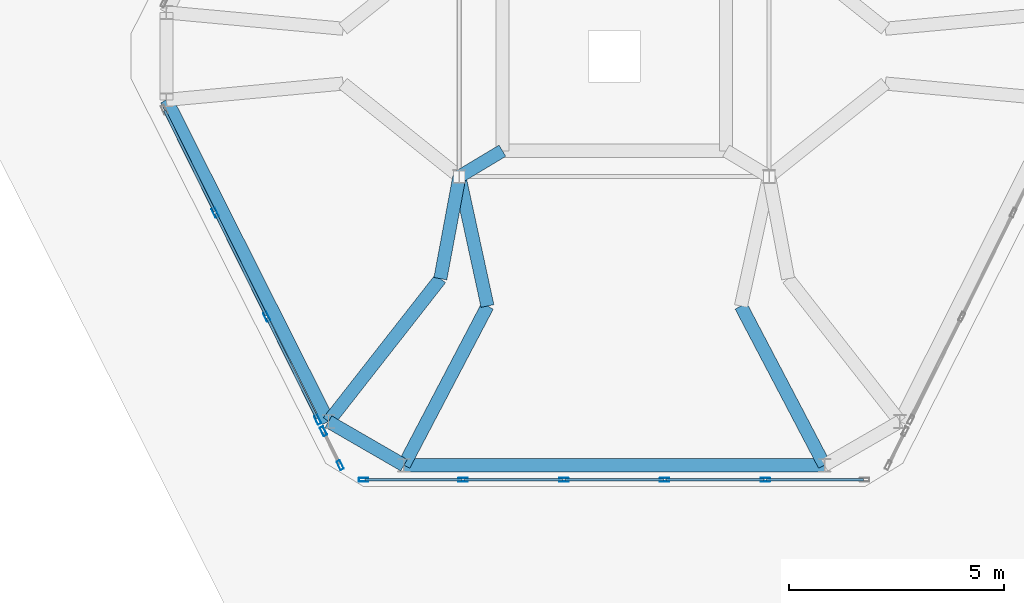
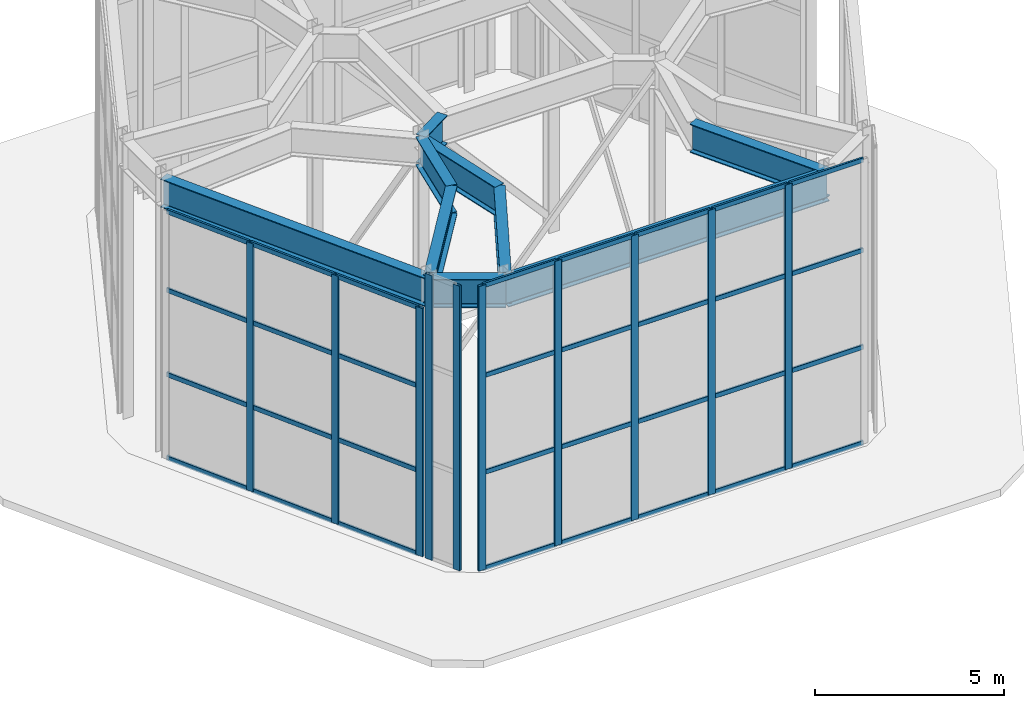
# One storey, part 2 of 9: 42 members, 9 beams, 3 elements without a shape of their own.
"""IFC4 building model written with IfcOpenShell, lengths in metres."""

from ifc_helpers import new_model, si_unit, direction, frame, origin, origin_2d, place, context, subcontext, project, spatial, hollow_rectangle, i_section, extrude, material, layer, layer_set, material_profile, profile_set, type_object, element, aggregate, save


model = new_model("IFC4")

# Units and contexts
model_context = context("Model", 3, precision=1e-05, world=origin(), true_north=direction((0.0, 1.0)))
body_context = subcontext(model_context, "Body", "Model", "MODEL_VIEW")
ifc_project = project(units=[si_unit("LENGTHUNIT", "METRE"), si_unit("AREAUNIT", "SQUARE_METRE"), si_unit("VOLUMEUNIT", "CUBIC_METRE"), si_unit("PLANEANGLEUNIT", "RADIAN"), si_unit("MASSUNIT", "GRAM", prefix="KILO")], contexts=[model_context])

# Site, building, storey
site_placement = place(None, origin())
site = spatial("IfcSite", under=ifc_project, at=site_placement, CompositionType="ELEMENT")
building_placement = place(site_placement, origin())
building = spatial("IfcBuilding", under=site, at=building_placement, Name="Cinnabar Lancet Tower", CompositionType="ELEMENT")
storey_placement = place(building_placement, frame((0.0, 0.0, 323.85009765625)))
storey = spatial("IfcBuildingStorey", under=building, at=storey_placement, Name="L82", CompositionType="ELEMENT", Elevation=323.85009765625)

# Curtain wall, members
ifc_material_1 = material(Name="Thermally broken bronze-anodized aluminium and low-E glass", Category="aluminium")
ifc_layer = layer(ifc_material_1, 0.179931640625)
ifc_layer_set = layer_set([ifc_layer], Name="Thermally broken bronze-anodized aluminium and low-E glass")
curtain_wall_type = type_object("IfcCurtainWallType", Name="ENV-CW-SYS-06", PredefinedType="NOTDEFINED", material=ifc_layer_set)
curtain_wall_1_placement = place(storey_placement, origin())
curtain_wall_1 = element("IfcCurtainWall", 1, at=curtain_wall_1_placement, inside=storey, type_object=curtain_wall_type, Name="L82 Faceted Lancet Crown Curtain Wall 2", PredefinedType="NOTDEFINED")
ifc_material_2 = material(Name="Anodized architectural aluminium 6063-T6", Category="aluminium")
ifc_material_profile_1 = material_profile(ifc_material_2, hollow_rectangle(XDim=0.0849609375, YDim=0.219970703125, WallThickness=0.0048828125, InnerFilletRadius=0.00244140625, OuterFilletRadius=0.007568359375, at=origin_2d()), Name="CW-MUL 220x85x5")
ifc_profile_set_1 = profile_set([ifc_material_profile_1], Name="Anodized architectural aluminium 6063-T6")
member_type_1 = type_object("IfcMemberType", Name="ENV-CW-MUL-220", PredefinedType="MULLION", material=ifc_profile_set_1)
member_1_placement = place(storey_placement, frame((26.575927734375, 15.949951171875, 0.0), z_axis=(0.0, 0.0, 1.0), x_axis=(0.0, 1.0, 0.0)))
member_1 = element("IfcMember", 2, at=member_1_placement, type_object=member_type_1, Name="CW-06 mullion 1", PredefinedType="MULLION", context=body_context, shape_type="SweptSolid", body=[
    extrude(hollow_rectangle(XDim=0.0849609375, YDim=0.219970703125, WallThickness=0.0048828125, InnerFilletRadius=0.00244140625, OuterFilletRadius=0.007568359375, at=origin_2d()), origin(), (0.0, 0.0, 1.0), 9.1748046875),
])
member_2_placement = place(storey_placement, frame((28.8876953125, 15.949951171875, 0.0), z_axis=(0.0, 0.0, 1.0), x_axis=(0.0, 1.0, 0.0)))
member_2 = element("IfcMember", 3, at=member_2_placement, type_object=member_type_1, Name="CW-06 mullion 2", PredefinedType="MULLION", context=body_context, shape_type="SweptSolid", body=[
    extrude(hollow_rectangle(XDim=0.0849609375, YDim=0.219970703125, WallThickness=0.0048828125, InnerFilletRadius=0.00244140625, OuterFilletRadius=0.007568359375, at=origin_2d()), origin(), (0.0, 0.0, 1.0), 9.1748046875),
])
member_3_placement = place(storey_placement, frame((31.229248046875, 15.949951171875, 0.0), z_axis=(0.0, 0.0, 1.0), x_axis=(0.0, 1.0, 0.0)))
member_3 = element("IfcMember", 4, at=member_3_placement, type_object=member_type_1, Name="CW-06 mullion 3", PredefinedType="MULLION", context=body_context, shape_type="SweptSolid", body=[
    extrude(hollow_rectangle(XDim=0.0849609375, YDim=0.219970703125, WallThickness=0.0048828125, InnerFilletRadius=0.00244140625, OuterFilletRadius=0.007568359375, at=origin_2d()), origin(), (0.0, 0.0, 1.0), 9.1748046875),
])
member_4_placement = place(storey_placement, frame((33.57080078125, 15.949951171875, 0.0), z_axis=(0.0, 0.0, 1.0), x_axis=(0.0, 1.0, 0.0)))
member_4 = element("IfcMember", 5, at=member_4_placement, type_object=member_type_1, Name="CW-06 mullion 4", PredefinedType="MULLION", context=body_context, shape_type="SweptSolid", body=[
    extrude(hollow_rectangle(XDim=0.0849609375, YDim=0.219970703125, WallThickness=0.0048828125, InnerFilletRadius=0.00244140625, OuterFilletRadius=0.007568359375, at=origin_2d()), origin(), (0.0, 0.0, 1.0), 9.1748046875),
])
member_5_placement = place(storey_placement, frame((35.912353515625, 15.949951171875, 0.0), z_axis=(0.0, 0.0, 1.0), x_axis=(0.0, 1.0, 0.0)))
member_5 = element("IfcMember", 6, at=member_5_placement, type_object=member_type_1, Name="CW-06 mullion 5", PredefinedType="MULLION", context=body_context, shape_type="SweptSolid", body=[
    extrude(hollow_rectangle(XDim=0.0849609375, YDim=0.219970703125, WallThickness=0.0048828125, InnerFilletRadius=0.00244140625, OuterFilletRadius=0.007568359375, at=origin_2d()), origin(), (0.0, 0.0, 1.0), 9.1748046875),
])

curtain_wall_2_placement = place(storey_placement, origin())
curtain_wall_2 = element("IfcCurtainWall", 7, at=curtain_wall_2_placement, inside=storey, type_object=curtain_wall_type, Name="L82 Faceted Lancet Crown Curtain Wall 19", PredefinedType="NOTDEFINED")
member_6_placement = place(storey_placement, frame((23.12060546875, 22.16259765625, 0.0), z_axis=(0.0, 0.0, 1.0), x_axis=(0.896196734695, 0.443656863715, 0.0)))
member_6 = element("IfcMember", 8, at=member_6_placement, type_object=member_type_1, Name="CW-06 mullion 2", PredefinedType="MULLION", context=body_context, shape_type="SweptSolid", body=[
    extrude(hollow_rectangle(XDim=0.0849609375, YDim=0.219970703125, WallThickness=0.0048828125, InnerFilletRadius=0.00244140625, OuterFilletRadius=0.007568359375, at=origin_2d()), origin(), (0.0, 0.0, 1.0), 7.996826171875),
])
member_7_placement = place(storey_placement, frame((24.3193359375, 19.741455078125, 0.0), z_axis=(0.0, 0.0, 1.0), x_axis=(0.896196734695, 0.443656863715, 0.0)))
member_7 = element("IfcMember", 9, at=member_7_placement, type_object=member_type_1, Name="CW-06 mullion 3", PredefinedType="MULLION", context=body_context, shape_type="SweptSolid", body=[
    extrude(hollow_rectangle(XDim=0.0849609375, YDim=0.219970703125, WallThickness=0.0048828125, InnerFilletRadius=0.00244140625, OuterFilletRadius=0.007568359375, at=origin_2d()), origin(), (0.0, 0.0, 1.0), 7.996826171875),
])
member_8_placement = place(storey_placement, frame((25.504638671875, 17.346923828125, 0.0), z_axis=(0.0, 0.0, 1.0), x_axis=(0.896196734695, 0.443656863715, 0.0)))
member_8 = element("IfcMember", 10, at=member_8_placement, type_object=member_type_1, Name="CW-06 mullion 4", PredefinedType="MULLION", context=body_context, shape_type="SweptSolid", body=[
    extrude(hollow_rectangle(XDim=0.0849609375, YDim=0.219970703125, WallThickness=0.0048828125, InnerFilletRadius=0.00244140625, OuterFilletRadius=0.007568359375, at=origin_2d()), origin(), (0.0, 0.0, 1.0), 7.996826171875),
])

curtain_wall_3_placement = place(storey_placement, origin())
curtain_wall_3 = element("IfcCurtainWall", 11, at=curtain_wall_3_placement, inside=storey, type_object=curtain_wall_type, Name="L82 Faceted Lancet Crown Curtain Wall 20", PredefinedType="NOTDEFINED")
member_9_placement = place(storey_placement, frame((25.63818359375, 17.078125, 0.0), z_axis=(0.0, 0.0, 1.0), x_axis=(0.896337400461, 0.443372602374, 0.0)))
member_9 = element("IfcMember", 12, at=member_9_placement, type_object=member_type_1, Name="CW-06 mullion 1", PredefinedType="MULLION", context=body_context, shape_type="SweptSolid", body=[
    extrude(hollow_rectangle(XDim=0.0849609375, YDim=0.219970703125, WallThickness=0.0048828125, InnerFilletRadius=0.00244140625, OuterFilletRadius=0.007568359375, at=origin_2d()), origin(), (0.0, 0.0, 1.0), 9.1748046875),
])
member_10_placement = place(storey_placement, frame((26.027587890625, 16.290771484375, 0.0), z_axis=(0.0, 0.0, 1.0), x_axis=(0.896337400461, 0.443372602374, 0.0)))
member_10 = element("IfcMember", 13, at=member_10_placement, type_object=member_type_1, Name="CW-06 mullion 2", PredefinedType="MULLION", context=body_context, shape_type="SweptSolid", body=[
    extrude(hollow_rectangle(XDim=0.0849609375, YDim=0.219970703125, WallThickness=0.0048828125, InnerFilletRadius=0.00244140625, OuterFilletRadius=0.007568359375, at=origin_2d()), origin(), (0.0, 0.0, 1.0), 9.1748046875),
])
aggregate(curtain_wall_3, [member_9, member_10])

# Member
ifc_material_3 = material(Name="Anodized architectural aluminium 6063-T6", Category="aluminium")
ifc_material_profile_2 = material_profile(ifc_material_3, hollow_rectangle(XDim=0.06494140625, YDim=0.14990234375, WallThickness=0.00390625, InnerFilletRadius=0.001953125, OuterFilletRadius=0.006103515625, at=origin_2d()), Name="CW-TRN 150x65x4")
ifc_profile_set_2 = profile_set([ifc_material_profile_2], Name="Anodized architectural aluminium 6063-T6")
member_type_2 = type_object("IfcMemberType", Name="ENV-CW-TRN-160", PredefinedType="USERDEFINED", material=ifc_profile_set_2)
member_11_placement = place(storey_placement, frame((26.60595703125, 15.949951171875, 0.02978515625), z_axis=(1.0, 0.0, 0.0), x_axis=(0.0, 1.0, 0.0)))
member_11 = element("IfcMember", 14, at=member_11_placement, type_object=member_type_2, Name="CW-06 transom 1.1", ObjectType="TRANSOM", PredefinedType="USERDEFINED", context=body_context, shape_type="SweptSolid", body=[
    extrude(hollow_rectangle(XDim=0.06494140625, YDim=0.14990234375, WallThickness=0.00390625, InnerFilletRadius=0.001953125, OuterFilletRadius=0.006103515625, at=origin_2d()), origin(), (0.0, 0.0, 1.0), 2.251708984375),
])

member_12_placement = place(storey_placement, frame((26.60595703125, 15.949951171875, 3.118896484375), z_axis=(1.0, 0.0, 0.0), x_axis=(0.0, 1.0, 0.0)))
member_12 = element("IfcMember", 15, at=member_12_placement, type_object=member_type_2, Name="CW-06 transom 1.2", ObjectType="TRANSOM", PredefinedType="USERDEFINED", context=body_context, shape_type="SweptSolid", body=[
    extrude(hollow_rectangle(XDim=0.06494140625, YDim=0.14990234375, WallThickness=0.00390625, InnerFilletRadius=0.001953125, OuterFilletRadius=0.006103515625, at=origin_2d()), origin(), (0.0, 0.0, 1.0), 2.251708984375),
])

member_13_placement = place(storey_placement, frame((26.60595703125, 15.949951171875, 6.239013671875), z_axis=(1.0, 0.0, 0.0), x_axis=(0.0, 1.0, 0.0)))
member_13 = element("IfcMember", 16, at=member_13_placement, type_object=member_type_2, Name="CW-06 transom 1.3", ObjectType="TRANSOM", PredefinedType="USERDEFINED", context=body_context, shape_type="SweptSolid", body=[
    extrude(hollow_rectangle(XDim=0.06494140625, YDim=0.14990234375, WallThickness=0.00390625, InnerFilletRadius=0.001953125, OuterFilletRadius=0.006103515625, at=origin_2d()), origin(), (0.0, 0.0, 1.0), 2.251708984375),
])

member_14_placement = place(storey_placement, frame((26.60595703125, 15.949951171875, 9.14501953125), z_axis=(1.0, 0.0, 0.0), x_axis=(0.0, 1.0, 0.0)))
member_14 = element("IfcMember", 17, at=member_14_placement, type_object=member_type_2, Name="CW-06 transom 1.4", ObjectType="TRANSOM", PredefinedType="USERDEFINED", context=body_context, shape_type="SweptSolid", body=[
    extrude(hollow_rectangle(XDim=0.06494140625, YDim=0.14990234375, WallThickness=0.00390625, InnerFilletRadius=0.001953125, OuterFilletRadius=0.006103515625, at=origin_2d()), origin(), (0.0, 0.0, 1.0), 2.251708984375),
])

member_15_placement = place(storey_placement, frame((28.91748046875, 15.949951171875, 0.02978515625), z_axis=(1.0, 0.0, 0.0), x_axis=(0.0, 1.0, 0.0)))
member_15 = element("IfcMember", 18, at=member_15_placement, type_object=member_type_2, Name="CW-06 transom 2.1", ObjectType="TRANSOM", PredefinedType="USERDEFINED", context=body_context, shape_type="SweptSolid", body=[
    extrude(hollow_rectangle(XDim=0.06494140625, YDim=0.14990234375, WallThickness=0.00390625, InnerFilletRadius=0.001953125, OuterFilletRadius=0.006103515625, at=origin_2d()), origin(), (0.0, 0.0, 1.0), 2.28173828125),
])

member_16_placement = place(storey_placement, frame((28.91748046875, 15.949951171875, 3.118896484375), z_axis=(1.0, 0.0, 0.0), x_axis=(0.0, 1.0, 0.0)))
member_16 = element("IfcMember", 19, at=member_16_placement, type_object=member_type_2, Name="CW-06 transom 2.2", ObjectType="TRANSOM", PredefinedType="USERDEFINED", context=body_context, shape_type="SweptSolid", body=[
    extrude(hollow_rectangle(XDim=0.06494140625, YDim=0.14990234375, WallThickness=0.00390625, InnerFilletRadius=0.001953125, OuterFilletRadius=0.006103515625, at=origin_2d()), origin(), (0.0, 0.0, 1.0), 2.28173828125),
])

member_17_placement = place(storey_placement, frame((28.91748046875, 15.949951171875, 6.239013671875), z_axis=(1.0, 0.0, 0.0), x_axis=(0.0, 1.0, 0.0)))
member_17 = element("IfcMember", 20, at=member_17_placement, type_object=member_type_2, Name="CW-06 transom 2.3", ObjectType="TRANSOM", PredefinedType="USERDEFINED", context=body_context, shape_type="SweptSolid", body=[
    extrude(hollow_rectangle(XDim=0.06494140625, YDim=0.14990234375, WallThickness=0.00390625, InnerFilletRadius=0.001953125, OuterFilletRadius=0.006103515625, at=origin_2d()), origin(), (0.0, 0.0, 1.0), 2.28173828125),
])

member_18_placement = place(storey_placement, frame((28.91748046875, 15.949951171875, 9.14501953125), z_axis=(1.0, 0.0, 0.0), x_axis=(0.0, 1.0, 0.0)))
member_18 = element("IfcMember", 21, at=member_18_placement, type_object=member_type_2, Name="CW-06 transom 2.4", ObjectType="TRANSOM", PredefinedType="USERDEFINED", context=body_context, shape_type="SweptSolid", body=[
    extrude(hollow_rectangle(XDim=0.06494140625, YDim=0.14990234375, WallThickness=0.00390625, InnerFilletRadius=0.001953125, OuterFilletRadius=0.006103515625, at=origin_2d()), origin(), (0.0, 0.0, 1.0), 2.28173828125),
])

member_19_placement = place(storey_placement, frame((31.25927734375, 15.949951171875, 0.02978515625), z_axis=(1.0, 0.0, 0.0), x_axis=(0.0, 1.0, 0.0)))
member_19 = element("IfcMember", 22, at=member_19_placement, type_object=member_type_2, Name="CW-06 transom 3.1", ObjectType="TRANSOM", PredefinedType="USERDEFINED", context=body_context, shape_type="SweptSolid", body=[
    extrude(hollow_rectangle(XDim=0.06494140625, YDim=0.14990234375, WallThickness=0.00390625, InnerFilletRadius=0.001953125, OuterFilletRadius=0.006103515625, at=origin_2d()), origin(), (0.0, 0.0, 1.0), 2.281494140625),
])

member_20_placement = place(storey_placement, frame((31.25927734375, 15.949951171875, 3.118896484375), z_axis=(1.0, 0.0, 0.0), x_axis=(0.0, 1.0, 0.0)))
member_20 = element("IfcMember", 23, at=member_20_placement, type_object=member_type_2, Name="CW-06 transom 3.2", ObjectType="TRANSOM", PredefinedType="USERDEFINED", context=body_context, shape_type="SweptSolid", body=[
    extrude(hollow_rectangle(XDim=0.06494140625, YDim=0.14990234375, WallThickness=0.00390625, InnerFilletRadius=0.001953125, OuterFilletRadius=0.006103515625, at=origin_2d()), origin(), (0.0, 0.0, 1.0), 2.281494140625),
])

member_21_placement = place(storey_placement, frame((31.25927734375, 15.949951171875, 6.239013671875), z_axis=(1.0, 0.0, 0.0), x_axis=(0.0, 1.0, 0.0)))
member_21 = element("IfcMember", 24, at=member_21_placement, type_object=member_type_2, Name="CW-06 transom 3.3", ObjectType="TRANSOM", PredefinedType="USERDEFINED", context=body_context, shape_type="SweptSolid", body=[
    extrude(hollow_rectangle(XDim=0.06494140625, YDim=0.14990234375, WallThickness=0.00390625, InnerFilletRadius=0.001953125, OuterFilletRadius=0.006103515625, at=origin_2d()), origin(), (0.0, 0.0, 1.0), 2.281494140625),
])

member_22_placement = place(storey_placement, frame((31.25927734375, 15.949951171875, 9.14501953125), z_axis=(1.0, 0.0, 0.0), x_axis=(0.0, 1.0, 0.0)))
member_22 = element("IfcMember", 25, at=member_22_placement, type_object=member_type_2, Name="CW-06 transom 3.4", ObjectType="TRANSOM", PredefinedType="USERDEFINED", context=body_context, shape_type="SweptSolid", body=[
    extrude(hollow_rectangle(XDim=0.06494140625, YDim=0.14990234375, WallThickness=0.00390625, InnerFilletRadius=0.001953125, OuterFilletRadius=0.006103515625, at=origin_2d()), origin(), (0.0, 0.0, 1.0), 2.281494140625),
])

member_23_placement = place(storey_placement, frame((33.600830078125, 15.949951171875, 0.02978515625), z_axis=(1.0, 0.0, 0.0), x_axis=(0.0, 1.0, 0.0)))
member_23 = element("IfcMember", 26, at=member_23_placement, type_object=member_type_2, Name="CW-06 transom 4.1", ObjectType="TRANSOM", PredefinedType="USERDEFINED", context=body_context, shape_type="SweptSolid", body=[
    extrude(hollow_rectangle(XDim=0.06494140625, YDim=0.14990234375, WallThickness=0.00390625, InnerFilletRadius=0.001953125, OuterFilletRadius=0.006103515625, at=origin_2d()), origin(), (0.0, 0.0, 1.0), 2.281494140625),
])

member_24_placement = place(storey_placement, frame((33.600830078125, 15.949951171875, 3.118896484375), z_axis=(1.0, 0.0, 0.0), x_axis=(0.0, 1.0, 0.0)))
member_24 = element("IfcMember", 27, at=member_24_placement, type_object=member_type_2, Name="CW-06 transom 4.2", ObjectType="TRANSOM", PredefinedType="USERDEFINED", context=body_context, shape_type="SweptSolid", body=[
    extrude(hollow_rectangle(XDim=0.06494140625, YDim=0.14990234375, WallThickness=0.00390625, InnerFilletRadius=0.001953125, OuterFilletRadius=0.006103515625, at=origin_2d()), origin(), (0.0, 0.0, 1.0), 2.281494140625),
])

member_25_placement = place(storey_placement, frame((33.600830078125, 15.949951171875, 6.239013671875), z_axis=(1.0, 0.0, 0.0), x_axis=(0.0, 1.0, 0.0)))
member_25 = element("IfcMember", 28, at=member_25_placement, type_object=member_type_2, Name="CW-06 transom 4.3", ObjectType="TRANSOM", PredefinedType="USERDEFINED", context=body_context, shape_type="SweptSolid", body=[
    extrude(hollow_rectangle(XDim=0.06494140625, YDim=0.14990234375, WallThickness=0.00390625, InnerFilletRadius=0.001953125, OuterFilletRadius=0.006103515625, at=origin_2d()), origin(), (0.0, 0.0, 1.0), 2.281494140625),
])

member_26_placement = place(storey_placement, frame((33.600830078125, 15.949951171875, 9.14501953125), z_axis=(1.0, 0.0, 0.0), x_axis=(0.0, 1.0, 0.0)))
member_26 = element("IfcMember", 29, at=member_26_placement, type_object=member_type_2, Name="CW-06 transom 4.4", ObjectType="TRANSOM", PredefinedType="USERDEFINED", context=body_context, shape_type="SweptSolid", body=[
    extrude(hollow_rectangle(XDim=0.06494140625, YDim=0.14990234375, WallThickness=0.00390625, InnerFilletRadius=0.001953125, OuterFilletRadius=0.006103515625, at=origin_2d()), origin(), (0.0, 0.0, 1.0), 2.281494140625),
])

member_27_placement = place(storey_placement, frame((35.9423828125, 15.949951171875, 0.02978515625), z_axis=(1.0, 0.0, 0.0), x_axis=(0.0, 1.0, 0.0)))
member_27 = element("IfcMember", 30, at=member_27_placement, type_object=member_type_2, Name="CW-06 transom 5.1", ObjectType="TRANSOM", PredefinedType="USERDEFINED", context=body_context, shape_type="SweptSolid", body=[
    extrude(hollow_rectangle(XDim=0.06494140625, YDim=0.14990234375, WallThickness=0.00390625, InnerFilletRadius=0.001953125, OuterFilletRadius=0.006103515625, at=origin_2d()), origin(), (0.0, 0.0, 1.0), 2.251708984375),
])

member_28_placement = place(storey_placement, frame((35.9423828125, 15.949951171875, 3.118896484375), z_axis=(1.0, 0.0, 0.0), x_axis=(0.0, 1.0, 0.0)))
member_28 = element("IfcMember", 31, at=member_28_placement, type_object=member_type_2, Name="CW-06 transom 5.2", ObjectType="TRANSOM", PredefinedType="USERDEFINED", context=body_context, shape_type="SweptSolid", body=[
    extrude(hollow_rectangle(XDim=0.06494140625, YDim=0.14990234375, WallThickness=0.00390625, InnerFilletRadius=0.001953125, OuterFilletRadius=0.006103515625, at=origin_2d()), origin(), (0.0, 0.0, 1.0), 2.251708984375),
])

member_29_placement = place(storey_placement, frame((35.9423828125, 15.949951171875, 6.239013671875), z_axis=(1.0, 0.0, 0.0), x_axis=(0.0, 1.0, 0.0)))
member_29 = element("IfcMember", 32, at=member_29_placement, type_object=member_type_2, Name="CW-06 transom 5.3", ObjectType="TRANSOM", PredefinedType="USERDEFINED", context=body_context, shape_type="SweptSolid", body=[
    extrude(hollow_rectangle(XDim=0.06494140625, YDim=0.14990234375, WallThickness=0.00390625, InnerFilletRadius=0.001953125, OuterFilletRadius=0.006103515625, at=origin_2d()), origin(), (0.0, 0.0, 1.0), 2.251708984375),
])

member_30_placement = place(storey_placement, frame((35.9423828125, 15.949951171875, 9.14501953125), z_axis=(1.0, 0.0, 0.0), x_axis=(0.0, 1.0, 0.0)))
member_30 = element("IfcMember", 33, at=member_30_placement, type_object=member_type_2, Name="CW-06 transom 5.4", ObjectType="TRANSOM", PredefinedType="USERDEFINED", context=body_context, shape_type="SweptSolid", body=[
    extrude(hollow_rectangle(XDim=0.06494140625, YDim=0.14990234375, WallThickness=0.00390625, InnerFilletRadius=0.001953125, OuterFilletRadius=0.006103515625, at=origin_2d()), origin(), (0.0, 0.0, 1.0), 2.251708984375),
])

aggregate(curtain_wall_1, [member_1, member_2, member_3, member_4, member_5, member_11, member_12, member_13, member_14, member_15, member_16, member_17, member_18, member_19, member_20, member_21, member_22, member_23, member_24, member_25, member_26, member_27, member_28, member_29, member_30])

member_31_placement = place(storey_placement, frame((21.94873046875, 24.5302734375, 0.02978515625), z_axis=(0.443620649138, -0.896214661595, 0.0), x_axis=(0.896214661595, 0.443620649138, 0.0)))
member_31 = element("IfcMember", 34, at=member_31_placement, type_object=member_type_2, Name="CW-06 transom 1.1", ObjectType="TRANSOM", PredefinedType="USERDEFINED", context=body_context, shape_type="SweptSolid", body=[
    extrude(hollow_rectangle(XDim=0.06494140625, YDim=0.14990234375, WallThickness=0.00390625, InnerFilletRadius=0.001953125, OuterFilletRadius=0.006103515625, at=origin_2d()), origin(), (0.0, 0.0, 1.0), 2.61181640625),
])

member_32_placement = place(storey_placement, frame((21.94873046875, 24.5302734375, 2.718994140625), z_axis=(0.443620649138, -0.896214661595, 0.0), x_axis=(0.896214661595, 0.443620649138, 0.0)))
member_32 = element("IfcMember", 35, at=member_32_placement, type_object=member_type_2, Name="CW-06 transom 1.2", ObjectType="TRANSOM", PredefinedType="USERDEFINED", context=body_context, shape_type="SweptSolid", body=[
    extrude(hollow_rectangle(XDim=0.06494140625, YDim=0.14990234375, WallThickness=0.00390625, InnerFilletRadius=0.001953125, OuterFilletRadius=0.006103515625, at=origin_2d()), origin(), (0.0, 0.0, 1.0), 2.61181640625),
])

member_33_placement = place(storey_placement, frame((21.94873046875, 24.5302734375, 5.43798828125), z_axis=(0.443620649138, -0.896214661595, 0.0), x_axis=(0.896214661595, 0.443620649138, 0.0)))
member_33 = element("IfcMember", 36, at=member_33_placement, type_object=member_type_2, Name="CW-06 transom 1.3", ObjectType="TRANSOM", PredefinedType="USERDEFINED", context=body_context, shape_type="SweptSolid", body=[
    extrude(hollow_rectangle(XDim=0.06494140625, YDim=0.14990234375, WallThickness=0.00390625, InnerFilletRadius=0.001953125, OuterFilletRadius=0.006103515625, at=origin_2d()), origin(), (0.0, 0.0, 1.0), 2.61181640625),
])

member_34_placement = place(storey_placement, frame((21.94873046875, 24.5302734375, 7.966796875), z_axis=(0.443620649138, -0.896214661595, 0.0), x_axis=(0.896214661595, 0.443620649138, 0.0)))
member_34 = element("IfcMember", 37, at=member_34_placement, type_object=member_type_2, Name="CW-06 transom 1.4", ObjectType="TRANSOM", PredefinedType="USERDEFINED", context=body_context, shape_type="SweptSolid", body=[
    extrude(hollow_rectangle(XDim=0.06494140625, YDim=0.14990234375, WallThickness=0.00390625, InnerFilletRadius=0.001953125, OuterFilletRadius=0.006103515625, at=origin_2d()), origin(), (0.0, 0.0, 1.0), 2.61181640625),
])

member_35_placement = place(storey_placement, frame((23.134033203125, 22.1357421875, 0.02978515625), z_axis=(0.443624040261, -0.896212983003, 0.0), x_axis=(0.896212983003, 0.443624040261, 0.0)))
member_35 = element("IfcMember", 38, at=member_35_placement, type_object=member_type_2, Name="CW-06 transom 2.1", ObjectType="TRANSOM", PredefinedType="USERDEFINED", context=body_context, shape_type="SweptSolid", body=[
    extrude(hollow_rectangle(XDim=0.06494140625, YDim=0.14990234375, WallThickness=0.00390625, InnerFilletRadius=0.001953125, OuterFilletRadius=0.006103515625, at=origin_2d()), origin(), (0.0, 0.0, 1.0), 2.6416015625),
])

member_36_placement = place(storey_placement, frame((23.134033203125, 22.1357421875, 2.718994140625), z_axis=(0.443624040261, -0.896212983003, 0.0), x_axis=(0.896212983003, 0.443624040261, 0.0)))
member_36 = element("IfcMember", 39, at=member_36_placement, type_object=member_type_2, Name="CW-06 transom 2.2", ObjectType="TRANSOM", PredefinedType="USERDEFINED", context=body_context, shape_type="SweptSolid", body=[
    extrude(hollow_rectangle(XDim=0.06494140625, YDim=0.14990234375, WallThickness=0.00390625, InnerFilletRadius=0.001953125, OuterFilletRadius=0.006103515625, at=origin_2d()), origin(), (0.0, 0.0, 1.0), 2.6416015625),
])

member_37_placement = place(storey_placement, frame((23.134033203125, 22.1357421875, 5.43798828125), z_axis=(0.443624040261, -0.896212983003, 0.0), x_axis=(0.896212983003, 0.443624040261, 0.0)))
member_37 = element("IfcMember", 40, at=member_37_placement, type_object=member_type_2, Name="CW-06 transom 2.3", ObjectType="TRANSOM", PredefinedType="USERDEFINED", context=body_context, shape_type="SweptSolid", body=[
    extrude(hollow_rectangle(XDim=0.06494140625, YDim=0.14990234375, WallThickness=0.00390625, InnerFilletRadius=0.001953125, OuterFilletRadius=0.006103515625, at=origin_2d()), origin(), (0.0, 0.0, 1.0), 2.6416015625),
])

member_38_placement = place(storey_placement, frame((23.134033203125, 22.1357421875, 7.966796875), z_axis=(0.443624040261, -0.896212983003, 0.0), x_axis=(0.896212983003, 0.443624040261, 0.0)))
member_38 = element("IfcMember", 41, at=member_38_placement, type_object=member_type_2, Name="CW-06 transom 2.4", ObjectType="TRANSOM", PredefinedType="USERDEFINED", context=body_context, shape_type="SweptSolid", body=[
    extrude(hollow_rectangle(XDim=0.06494140625, YDim=0.14990234375, WallThickness=0.00390625, InnerFilletRadius=0.001953125, OuterFilletRadius=0.006103515625, at=origin_2d()), origin(), (0.0, 0.0, 1.0), 2.6416015625),
])

member_39_placement = place(storey_placement, frame((24.332763671875, 19.71435546875, 0.02978515625), z_axis=(0.443657814617, -0.896196263956, 0.0), x_axis=(0.896196263956, 0.443657814617, 0.0)))
member_39 = element("IfcMember", 42, at=member_39_placement, type_object=member_type_2, Name="CW-06 transom 3.1", ObjectType="TRANSOM", PredefinedType="USERDEFINED", context=body_context, shape_type="SweptSolid", body=[
    extrude(hollow_rectangle(XDim=0.06494140625, YDim=0.14990234375, WallThickness=0.00390625, InnerFilletRadius=0.001953125, OuterFilletRadius=0.006103515625, at=origin_2d()), origin(), (0.0, 0.0, 1.0), 2.611572265625),
])

member_40_placement = place(storey_placement, frame((24.332763671875, 19.71435546875, 2.718994140625), z_axis=(0.443657814617, -0.896196263956, 0.0), x_axis=(0.896196263956, 0.443657814617, 0.0)))
member_40 = element("IfcMember", 43, at=member_40_placement, type_object=member_type_2, Name="CW-06 transom 3.2", ObjectType="TRANSOM", PredefinedType="USERDEFINED", context=body_context, shape_type="SweptSolid", body=[
    extrude(hollow_rectangle(XDim=0.06494140625, YDim=0.14990234375, WallThickness=0.00390625, InnerFilletRadius=0.001953125, OuterFilletRadius=0.006103515625, at=origin_2d()), origin(), (0.0, 0.0, 1.0), 2.611572265625),
])

member_41_placement = place(storey_placement, frame((24.332763671875, 19.71435546875, 5.43798828125), z_axis=(0.443657814617, -0.896196263956, 0.0), x_axis=(0.896196263956, 0.443657814617, 0.0)))
member_41 = element("IfcMember", 44, at=member_41_placement, type_object=member_type_2, Name="CW-06 transom 3.3", ObjectType="TRANSOM", PredefinedType="USERDEFINED", context=body_context, shape_type="SweptSolid", body=[
    extrude(hollow_rectangle(XDim=0.06494140625, YDim=0.14990234375, WallThickness=0.00390625, InnerFilletRadius=0.001953125, OuterFilletRadius=0.006103515625, at=origin_2d()), origin(), (0.0, 0.0, 1.0), 2.611572265625),
])

member_42_placement = place(storey_placement, frame((24.332763671875, 19.71435546875, 7.966796875), z_axis=(0.443657814617, -0.896196263956, 0.0), x_axis=(0.896196263956, 0.443657814617, 0.0)))
member_42 = element("IfcMember", 45, at=member_42_placement, type_object=member_type_2, Name="CW-06 transom 3.4", ObjectType="TRANSOM", PredefinedType="USERDEFINED", context=body_context, shape_type="SweptSolid", body=[
    extrude(hollow_rectangle(XDim=0.06494140625, YDim=0.14990234375, WallThickness=0.00390625, InnerFilletRadius=0.001953125, OuterFilletRadius=0.006103515625, at=origin_2d()), origin(), (0.0, 0.0, 1.0), 2.611572265625),
])

aggregate(curtain_wall_2, [member_6, member_7, member_8, member_31, member_32, member_33, member_34, member_35, member_36, member_37, member_38, member_39, member_40, member_41, member_42])

# Beams
ifc_material_4 = material(Name="Structural steel S355", Category="steel")
ifc_material_profile_3 = material_profile(ifc_material_4, i_section(OverallWidth=0.305419921875, OverallDepth=0.91845703125, WebThickness=0.017333984375, FlangeThickness=0.02783203125, FilletRadius=0.01904296875, at=origin_2d()), Name="UKB 914x305x253")
ifc_profile_set_3 = profile_set([ifc_material_profile_3], Name="Structural steel S355")
beam_type = type_object("IfcBeamType", Name="STR-BM-UKB914-253", PredefinedType="BEAM", material=ifc_profile_set_3)
beam_1_placement = place(storey_placement, frame((27.511962890625, 16.2890625, 8.4658203125), z_axis=(1.0, 0.0, 0.0), x_axis=(0.0, 1.0, 0.0)))
element("IfcBeam", 46, at=beam_1_placement, inside=storey, type_object=beam_type, Name="L83 Setback Outer Ring Girder 1", PredefinedType="BEAM", context=body_context, shape_type="SweptSolid", body=[
    extrude(i_section(OverallWidth=0.305419921875, OverallDepth=0.91845703125, WebThickness=0.017333984375, FlangeThickness=0.02783203125, FilletRadius=0.01904296875, at=origin_2d()), origin(), (0.0, 0.0, 1.0), 9.776123046875),
])
beam_2_placement = place(storey_placement, frame((21.989013671875, 24.782958984375, 8.4658203125), z_axis=(0.449940191436, -0.893058690194, 0.0), x_axis=(0.893058690194, 0.449940191436, 0.0)))
element("IfcBeam", 47, at=beam_2_placement, inside=storey, type_object=beam_type, Name="L83 Setback Outer Ring Girder 11", PredefinedType="BEAM", context=body_context, shape_type="SweptSolid", body=[
    extrude(i_section(OverallWidth=0.305419921875, OverallDepth=0.91845703125, WebThickness=0.017333984375, FlangeThickness=0.02783203125, FilletRadius=0.01904296875, at=origin_2d()), origin(), (0.0, 0.0, 1.0), 8.37451171875),
])
beam_3_placement = place(storey_placement, frame((25.757080078125, 17.303955078125, 8.4658203125), z_axis=(0.865659808039, -0.500632696441, 0.0), x_axis=(0.500632696441, 0.865659808039, 0.0)))
element("IfcBeam", 48, at=beam_3_placement, inside=storey, type_object=beam_type, Name="L83 Setback Outer Ring Girder 12", PredefinedType="BEAM", context=body_context, shape_type="SweptSolid", body=[
    extrude(i_section(OverallWidth=0.305419921875, OverallDepth=0.91845703125, WebThickness=0.017333984375, FlangeThickness=0.02783203125, FilletRadius=0.01904296875, at=origin_2d()), origin(), (0.0, 0.0, 1.0), 2.027099609375),
])
beam_4_placement = place(storey_placement, frame((27.511962890625, 16.2890625, 8.4658203125), z_axis=(0.464445717795, 0.885601589442, 0.0), x_axis=(-0.885601589442, 0.464445717795, 0.0)))
element("IfcBeam", 49, at=beam_4_placement, inside=storey, type_object=beam_type, Name="L83 Crown Setback Strut Girder 1", PredefinedType="BEAM", context=body_context, shape_type="SweptSolid", body=[
    extrude(i_section(OverallWidth=0.305419921875, OverallDepth=0.91845703125, WebThickness=0.017333984375, FlangeThickness=0.02783203125, FilletRadius=0.01904296875, at=origin_2d()), origin(), (0.0, 0.0, 1.0), 4.178955078125),
])
beam_5_placement = place(storey_placement, frame((29.452880859375, 19.989990234375, 8.4658203125), z_axis=(-0.211959027606, 0.977278553237, 0.0), x_axis=(-0.977278553237, -0.211959027606, 0.0)))
element("IfcBeam", 50, at=beam_5_placement, inside=storey, type_object=beam_type, Name="L83 Crown Setback Radial Girder 1", PredefinedType="BEAM", context=body_context, shape_type="SweptSolid", body=[
    extrude(i_section(OverallWidth=0.305419921875, OverallDepth=0.91845703125, WebThickness=0.017333984375, FlangeThickness=0.02783203125, FilletRadius=0.01904296875, at=origin_2d()), origin(), (0.0, 0.0, 1.0), 3.080078125),
])
beam_6_placement = place(storey_placement, frame((37.2880859375, 16.2890625, 8.4658203125), z_axis=(-0.464491534825, 0.885577559605, 0.0), x_axis=(-0.885577559605, -0.464491534825, 0.0)))
element("IfcBeam", 51, at=beam_6_placement, inside=storey, type_object=beam_type, Name="L83 Crown Setback Strut Girder 2", PredefinedType="BEAM", context=body_context, shape_type="SweptSolid", body=[
    extrude(i_section(OverallWidth=0.305419921875, OverallDepth=0.91845703125, WebThickness=0.017333984375, FlangeThickness=0.02783203125, FilletRadius=0.01904296875, at=origin_2d()), origin(), (0.0, 0.0, 1.0), 4.17919921875),
])
beam_7_placement = place(storey_placement, frame((25.757080078125, 17.303955078125, 8.4658203125), z_axis=(0.616453358759, 0.787391425198, 0.0), x_axis=(-0.787391425198, 0.616453358759, 0.0)))
element("IfcBeam", 52, at=beam_7_placement, inside=storey, type_object=beam_type, Name="L83 Crown Setback Strut Girder 12", PredefinedType="BEAM", context=body_context, shape_type="SweptSolid", body=[
    extrude(i_section(OverallWidth=0.305419921875, OverallDepth=0.91845703125, WebThickness=0.017333984375, FlangeThickness=0.02783203125, FilletRadius=0.01904296875, at=origin_2d()), origin(), (0.0, 0.0, 1.0), 4.218994140625),
])
beam_8_placement = place(storey_placement, frame((28.35791015625, 20.6259765625, 8.4658203125), z_axis=(0.18309198568, 0.983095786167, 0.0), x_axis=(-0.983095786167, 0.18309198568, 0.0)))
element("IfcBeam", 53, at=beam_8_placement, inside=storey, type_object=beam_type, Name="L83 Crown Setback Radial Girder 12", PredefinedType="BEAM", context=body_context, shape_type="SweptSolid", body=[
    extrude(i_section(OverallWidth=0.305419921875, OverallDepth=0.91845703125, WebThickness=0.017333984375, FlangeThickness=0.02783203125, FilletRadius=0.01904296875, at=origin_2d()), origin(), (0.0, 0.0, 1.0), 2.414794921875),
])
beam_9_placement = place(storey_placement, frame((28.800048828125, 23.0, 8.4658203125), z_axis=(0.857455981178, 0.514557324642, 0.0), x_axis=(-0.514557324642, 0.857455981178, 0.0)))
element("IfcBeam", 54, at=beam_9_placement, inside=storey, type_object=beam_type, Name="L83 Crown Inner Ring Transfer 1", PredefinedType="BEAM", context=body_context, shape_type="SweptSolid", body=[
    extrude(i_section(OverallWidth=0.305419921875, OverallDepth=0.91845703125, WebThickness=0.017333984375, FlangeThickness=0.02783203125, FilletRadius=0.01904296875, at=origin_2d()), origin(), (0.0, 0.0, 1.0), 1.166259765625),
])

save(model, "model.ifc")
